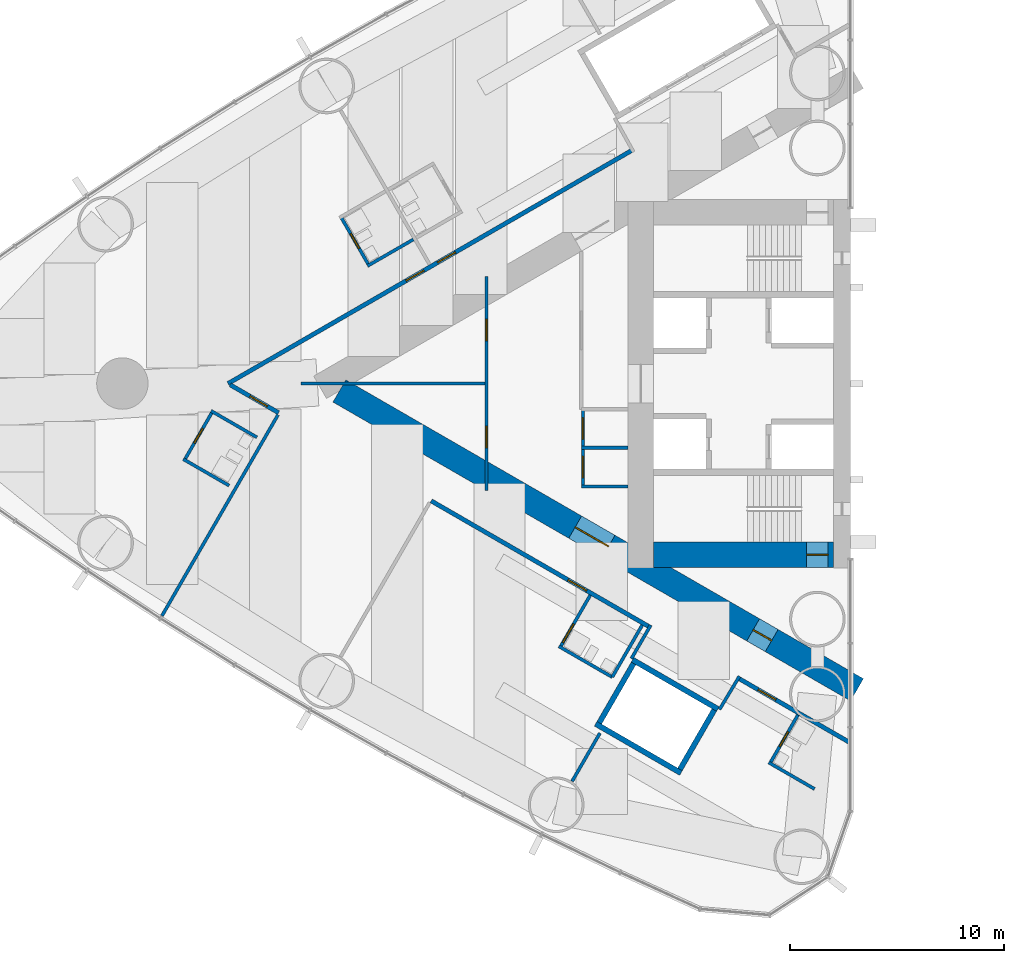
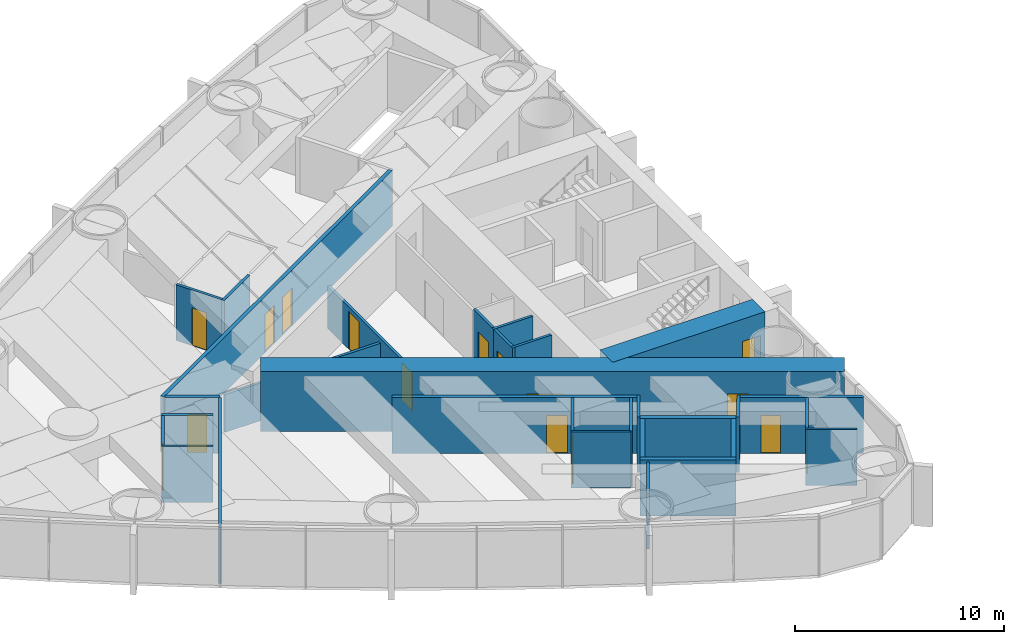
# One storey, part 11 of 19: 30 walls, 16 doors, 16 openings.
"""IFC4 building model written with IfcOpenShell, lengths in metres."""

from ifc_helpers import new_model, si_unit, direction, frame, frame_2d, origin, place, context, subcontext, project, spatial, rectangle, extrude, material, layer, layer_set, type_object, element, fill, save


model = new_model("IFC4")

# Units and contexts
model_context = context("Model", 3, precision=1e-05, world=origin(), true_north=direction((0.0, 1.0)))
body_context = subcontext(model_context, "Body", "Model", "MODEL_VIEW")
ifc_project = project(units=[si_unit("LENGTHUNIT", "METRE"), si_unit("AREAUNIT", "SQUARE_METRE"), si_unit("VOLUMEUNIT", "CUBIC_METRE"), si_unit("PLANEANGLEUNIT", "RADIAN"), si_unit("MASSUNIT", "GRAM", prefix="KILO")], contexts=[model_context])

# Site, building, storey
site_placement = place(None, origin())
site = spatial("IfcSite", under=ifc_project, at=site_placement, CompositionType="ELEMENT")
building_placement = place(site_placement, origin())
building = spatial("IfcBuilding", under=site, at=building_placement, Name="Lancet Gate Hotel", CompositionType="ELEMENT")
storey_placement = place(building_placement, frame((0.0, 0.0, 111.60009765625)))
storey = spatial("IfcBuildingStorey", under=building, at=storey_placement, Name="L29", CompositionType="ELEMENT", Elevation=111.60009765625)

# Wall, opening, door
ifc_material_1 = material(Name="Moisture resistant board partition")
ifc_layer_1 = layer(ifc_material_1, 0.14990234375)
ifc_layer_set_1 = layer_set([ifc_layer_1], Name="Bathroom wall 150")
wall_type_1 = type_object("IfcWallType", Name="Bathroom wall 150", PredefinedType="PARTITIONING", material=ifc_layer_set_1)
wall_1_placement = place(storey_placement, frame((-49.99462890625, 5.52734375, 0.0), z_axis=(0.0, 0.0, 1.0), x_axis=(-0.500006934395, 0.866021400173, 0.0)))
wall_1 = element("IfcWall", 1, at=wall_1_placement, inside=storey, type_object=wall_type_1, Name="T1 bathroom wall 150 L29", PredefinedType="PARTITIONING", context=body_context, shape_type="SweptSolid", body=[
    extrude(rectangle(XDim=2.60009765625, YDim=0.14990234375, at=frame_2d((1.300048828125, 0.0))), origin(), (0.0, 0.0, 1.0), 3.25),
])
opening_1_placement = place(wall_1_placement, frame((0.89990234375, 0.0, 0.0)))
opening_1 = element("IfcOpeningElement", 2, at=opening_1_placement, cuts=wall_1, Name="Opening 2903-B", PredefinedType="OPENING", context=body_context, shape_type="SweptSolid", body=[
    extrude(rectangle(XDim=0.800048828125, YDim=2.199951171875, at=frame_2d((0.39990234375, 1.10009765625))), frame((0.0, 0.0849609375, 0.0), z_axis=(0.0, -1.0, 0.0), x_axis=(1.0, 0.0, 0.0)), (0.0, 0.0, 1.0), 0.169921875),
])
ifc_material_2 = material(Name="Timber door set", Category="wood")
door_type_1 = type_object("IfcDoorType", Name="Bathroom door 800", OperationType="SINGLE_SWING_RIGHT", PredefinedType="DOOR", material=ifc_material_2)
door_1_placement = place(opening_1_placement, origin())
door_1 = element("IfcDoor", 3, at=door_1_placement, inside=storey, type_object=door_type_1, Name="2903-B", OperationType="SINGLE_SWING_RIGHT", OverallHeight=2.199951171875, OverallWidth=0.800048828125, PredefinedType="DOOR", context=body_context, shape_type="SweptSolid", body=[
    extrude(rectangle(XDim=0.800048828125, YDim=2.199951171875, at=frame_2d((0.39990234375, 1.10009765625))), frame((0.0, 0.02490234375, 0.0), z_axis=(0.0, -1.0, 0.0), x_axis=(1.0, 0.0, 0.0)), (0.0, 0.0, 1.0), 0.050048828125),
])
fill(opening_1, door_1)

# Walls
for number, where, z_axis, x_axis, name in (
    (4, (-47.916015625, 6.727294921875, 0.0), (0.0, 0.0, 1.0), (-0.866031185235, -0.4999899861, 0.0), "T1 bathroom wall 150 L29"),
    (5, (-56.51708984375, -4.763916015625, 0.0), (0.0, 0.0, 1.0), (-0.866031185235, 0.4999899861, 0.0), "T1 bathroom wall 150 L29"),
):
    element("IfcWall", number, at=place(storey_placement, frame(where, z_axis=z_axis, x_axis=x_axis)), inside=storey, type_object=wall_type_1, Name=name, PredefinedType="PARTITIONING", context=body_context, shape_type="SweptSolid", body=[
        extrude(rectangle(XDim=2.47509765625, YDim=0.14990234375, at=frame_2d((1.237548828125, 0.0))), origin(), (0.0, 0.0, 1.0), 3.25),
    ])

# Wall, opening, door
wall_2_placement = place(storey_placement, frame((-57.295654296875, -1.312255859375, 0.0), z_axis=(0.0, 0.0, 1.0), x_axis=(-0.49997716683, -0.86603858612, 0.0)))
wall_2 = element("IfcWall", 6, at=wall_2_placement, inside=storey, type_object=wall_type_1, Name="T1 bathroom wall 150 L29", PredefinedType="PARTITIONING", context=body_context, shape_type="SweptSolid", body=[
    extrude(rectangle(XDim=2.599609375, YDim=0.14990234375, at=frame_2d((1.2998046875, 0.0))), origin(), (0.0, 0.0, 1.0), 3.25),
])
opening_2_placement = place(wall_2_placement, frame((0.89990234375, 0.0, 0.0)))
opening_2 = element("IfcOpeningElement", 7, at=opening_2_placement, cuts=wall_2, Name="Opening 2905-B", PredefinedType="OPENING", context=body_context, shape_type="SweptSolid", body=[
    extrude(rectangle(XDim=0.800048828125, YDim=2.199951171875, at=frame_2d((0.39990234375, 1.10009765625))), frame((0.0, 0.0849609375, 0.0), z_axis=(0.0, -1.0, 0.0), x_axis=(1.0, 0.0, 0.0)), (0.0, 0.0, 1.0), 0.169921875),
])
door_2_placement = place(opening_2_placement, origin())
door_2 = element("IfcDoor", 8, at=door_2_placement, inside=storey, type_object=door_type_1, Name="2905-B", OperationType="SINGLE_SWING_RIGHT", OverallHeight=2.199951171875, OverallWidth=0.800048828125, PredefinedType="DOOR", context=body_context, shape_type="SweptSolid", body=[
    extrude(rectangle(XDim=0.800048828125, YDim=2.199951171875, at=frame_2d((0.39990234375, 1.10009765625))), frame((0.0, 0.02490234375, 0.0), z_axis=(0.0, -1.0, 0.0), x_axis=(1.0, 0.0, 0.0)), (0.0, 0.0, 1.0), 0.050048828125),
])
fill(opening_2, door_2)

# Walls
wall_3_placement = place(storey_placement, frame((-55.217041015625, -2.51220703125, 0.0), z_axis=(0.0, 0.0, 1.0), x_axis=(-0.866031185235, 0.4999899861, 0.0)))
element("IfcWall", 9, at=wall_3_placement, inside=storey, type_object=wall_type_1, Name="T1 bathroom wall 150 L29", PredefinedType="PARTITIONING", context=body_context, shape_type="SweptSolid", body=[
    extrude(rectangle(XDim=2.47509765625, YDim=0.14990234375, at=frame_2d((1.237548828125, 0.0))), origin(), (0.0, 0.0, 1.0), 3.25),
])
wall_4_placement = place(storey_placement, frame((-38.630126953125, -13.705322265625, 0.0), z_axis=(0.0, 0.0, 1.0), x_axis=(-0.866018712932, 0.500011588718, 0.0)))
element("IfcWall", 10, at=wall_4_placement, inside=storey, type_object=wall_type_1, Name="T1 bathroom wall 150 L29", PredefinedType="PARTITIONING", context=body_context, shape_type="SweptSolid", body=[
    extrude(rectangle(XDim=2.875, YDim=0.14990234375, at=frame_2d((1.4375, 0.0))), origin(), (0.0, 0.0, 1.0), 3.25),
])

# Wall, opening, door
wall_5_placement = place(storey_placement, frame((-39.65478515625, -9.88037109375, 0.0), z_axis=(0.0, 0.0, 1.0), x_axis=(-0.500049511043, -0.865996816683, 0.0)))
wall_5 = element("IfcWall", 11, at=wall_5_placement, inside=storey, type_object=wall_type_1, Name="T1 bathroom wall 150 L29", PredefinedType="PARTITIONING", context=body_context, shape_type="SweptSolid", body=[
    extrude(rectangle(XDim=2.800048828125, YDim=0.14990234375, at=frame_2d((1.39990234375, 0.0))), origin(), (0.0, 0.0, 1.0), 3.25),
])
opening_3_placement = place(wall_5_placement, frame((1.550048828125, 0.0, 0.0)))
opening_3 = element("IfcOpeningElement", 12, at=opening_3_placement, cuts=wall_5, Name="Opening 2907-B", PredefinedType="OPENING", context=body_context, shape_type="SweptSolid", body=[
    extrude(rectangle(XDim=1.0, YDim=2.199951171875, at=frame_2d((0.5, 1.10009765625))), frame((0.0, 0.0849609375, 0.0), z_axis=(0.0, -1.0, 0.0), x_axis=(1.0, 0.0, 0.0)), (0.0, 0.0, 1.0), 0.169921875),
])
ifc_material_3 = material(Name="Timber door set", Category="wood")
door_type_2 = type_object("IfcDoorType", Name="Accessible en-suite door 1000", OperationType="SINGLE_SWING_RIGHT", PredefinedType="DOOR", material=ifc_material_3)
door_3_placement = place(opening_3_placement, origin())
door_3 = element("IfcDoor", 13, at=door_3_placement, inside=storey, type_object=door_type_2, Name="2907-B", OperationType="SINGLE_SWING_RIGHT", OverallHeight=2.199951171875, OverallWidth=1.0, PredefinedType="DOOR", context=body_context, shape_type="SweptSolid", body=[
    extrude(rectangle(XDim=1.0, YDim=2.199951171875, at=frame_2d((0.5, 1.10009765625))), frame((0.0, 0.02490234375, 0.0), z_axis=(0.0, -1.0, 0.0), x_axis=(1.0, 0.0, 0.0)), (0.0, 0.0, 1.0), 0.050048828125),
])
fill(opening_3, door_3)

# Walls
wall_6_placement = place(storey_placement, frame((-37.22998046875, -11.280517578125, 0.0), z_axis=(0.0, 0.0, 1.0), x_axis=(-0.500049511043, -0.865996816683, 0.0)))
element("IfcWall", 14, at=wall_6_placement, inside=storey, type_object=wall_type_1, Name="T1 bathroom wall 150 L29", PredefinedType="PARTITIONING", context=body_context, shape_type="SweptSolid", body=[
    extrude(rectangle(XDim=2.800048828125, YDim=0.14990234375, at=frame_2d((1.39990234375, 0.0))), origin(), (0.0, 0.0, 1.0), 3.25),
])
wall_7_placement = place(storey_placement, frame((-29.181884765625, -18.92919921875, 0.0), z_axis=(0.0, 0.0, 1.0), x_axis=(-0.866006523861, 0.500032699561, 0.0)))
element("IfcWall", 15, at=wall_7_placement, inside=storey, type_object=wall_type_1, Name="T1 bathroom wall 150 L29", PredefinedType="PARTITIONING", context=body_context, shape_type="SweptSolid", body=[
    extrude(rectangle(XDim=2.474853515625, YDim=0.14990234375, at=frame_2d((1.2373046875, 0.0))), origin(), (0.0, 0.0, 1.0), 3.25),
])

# Wall, opening, door
wall_8_placement = place(storey_placement, frame((-29.960205078125, -15.4775390625, 0.0), z_axis=(0.0, 0.0, 1.0), x_axis=(-0.500006934395, -0.866021400173, 0.0)))
wall_8 = element("IfcWall", 16, at=wall_8_placement, inside=storey, type_object=wall_type_1, Name="T1 bathroom wall 150 L29", PredefinedType="PARTITIONING", context=body_context, shape_type="SweptSolid", body=[
    extrude(rectangle(XDim=2.60009765625, YDim=0.14990234375, at=frame_2d((1.300048828125, 0.0))), origin(), (0.0, 0.0, 1.0), 3.25),
])
opening_4_placement = place(wall_8_placement, frame((0.89990234375, 0.0, 0.0)))
opening_4 = element("IfcOpeningElement", 17, at=opening_4_placement, cuts=wall_8, Name="Opening 2908-B", PredefinedType="OPENING", context=body_context, shape_type="SweptSolid", body=[
    extrude(rectangle(XDim=0.800048828125, YDim=2.199951171875, at=frame_2d((0.39990234375, 1.10009765625))), frame((0.0, 0.0849609375, 0.0), z_axis=(0.0, -1.0, 0.0), x_axis=(1.0, 0.0, 0.0)), (0.0, 0.0, 1.0), 0.169921875),
])
door_4_placement = place(opening_4_placement, origin())
door_4 = element("IfcDoor", 18, at=door_4_placement, inside=storey, type_object=door_type_1, Name="2908-B", OperationType="SINGLE_SWING_RIGHT", OverallHeight=2.199951171875, OverallWidth=0.800048828125, PredefinedType="DOOR", context=body_context, shape_type="SweptSolid", body=[
    extrude(rectangle(XDim=0.800048828125, YDim=2.199951171875, at=frame_2d((0.39990234375, 1.10009765625))), frame((0.0, 0.02490234375, 0.0), z_axis=(0.0, -1.0, 0.0), x_axis=(1.0, 0.0, 0.0)), (0.0, 0.0, 1.0), 0.050048828125),
])
fill(opening_4, door_4)

# Wall, openings, doors
ifc_material_4 = material(Name="Concrete C70/85", Category="concrete")
ifc_layer_2 = layer(ifc_material_4, 1.199951171875)
ifc_layer_set_2 = layer_set([ifc_layer_2], Name="Buttress wall 1200")
wall_type_2 = type_object("IfcWallType", Name="Buttress wall 1200", PredefinedType="SHEAR", material=ifc_layer_set_2)
wall_9_placement = place(storey_placement, frame((-27.199951171875, -14.300048828125, 0.0), z_axis=(0.0, 0.0, 1.0), x_axis=(-0.866024021859, 0.500002393557, 0.0)))
wall_9 = element("IfcWall", 19, at=wall_9_placement, inside=storey, type_object=wall_type_2, Name="T1 buttress wall N L29", PredefinedType="SHEAR", context=body_context, shape_type="SweptSolid", body=[
    extrude(rectangle(XDim=27.906982421875, YDim=1.199951171875, at=frame_2d((13.95361328125, 0.0))), origin(), (0.0, 0.0, 1.0), 3.5),
])
opening_5_placement = place(wall_9_placement, frame((4.60009765625, 0.0, 0.0)))
opening_5 = element("IfcOpeningElement", 20, at=opening_5_placement, cuts=wall_9, Name="Opening T1-L29-LN", PredefinedType="OPENING", context=body_context, shape_type="SweptSolid", body=[
    extrude(rectangle(XDim=1.0, YDim=2.199951171875, at=frame_2d((0.5, 1.10009765625))), frame((0.0, 0.60986328125, 0.0), z_axis=(0.0, -1.0, 0.0), x_axis=(1.0, 0.0, 0.0)), (0.0, 0.0, 1.0), 1.219970703125),
])
opening_6_placement = place(wall_9_placement, frame((13.39453125, 0.0, 0.0)))
opening_6 = element("IfcOpeningElement", 21, at=opening_6_placement, cuts=wall_9, Name="Opening T1-L29-LHN", PredefinedType="OPENING", context=body_context, shape_type="SweptSolid", body=[
    extrude(rectangle(XDim=1.800048828125, YDim=2.199951171875, at=frame_2d((0.89990234375, 1.10009765625))), frame((0.0, 0.60986328125, 0.0), z_axis=(0.0, -1.0, 0.0), x_axis=(1.0, 0.0, 0.0)), (0.0, 0.0, 1.0), 1.219970703125),
])
ifc_material_5 = material(Name="Timber door set", Category="wood")
door_type_3 = type_object("IfcDoorType", Name="Lobby double door 1800", OperationType="DOUBLE_DOOR_SINGLE_SWING", PredefinedType="DOOR", material=ifc_material_5)
door_5_placement = place(opening_6_placement, origin())
door_5 = element("IfcDoor", 22, at=door_5_placement, inside=storey, type_object=door_type_3, Name="T1-L29-LHN", OperationType="DOUBLE_DOOR_SINGLE_SWING", OverallHeight=2.199951171875, OverallWidth=1.800048828125, PredefinedType="DOOR", context=body_context, shape_type="SweptSolid", body=[
    extrude(rectangle(XDim=1.800048828125, YDim=2.199951171875, at=frame_2d((0.89990234375, 1.10009765625))), frame((0.0, 0.02490234375, 0.0), z_axis=(0.0, -1.0, 0.0), x_axis=(1.0, 0.0, 0.0)), (0.0, 0.0, 1.0), 0.050048828125),
])
fill(opening_6, door_5)
ifc_material_6 = material(Name="Timber door set", Category="wood")
door_type_4 = type_object("IfcDoorType", Name="Stair lobby door 1000", OperationType="SINGLE_SWING_LEFT", PredefinedType="DOOR", material=ifc_material_6)
door_6_placement = place(opening_5_placement, origin())
door_6 = element("IfcDoor", 23, at=door_6_placement, inside=storey, type_object=door_type_4, Name="T1-L29-LN", OperationType="SINGLE_SWING_LEFT", OverallHeight=2.199951171875, OverallWidth=1.0, PredefinedType="DOOR", context=body_context, shape_type="SweptSolid", body=[
    extrude(rectangle(XDim=1.0, YDim=2.199951171875, at=frame_2d((0.5, 1.10009765625))), frame((0.0, 0.02490234375, 0.0), z_axis=(0.0, -1.0, 0.0), x_axis=(1.0, 0.0, 0.0)), (0.0, 0.0, 1.0), 0.050048828125),
])
fill(opening_5, door_6)

# Wall, opening, door
ifc_material_7 = material(Name="Concrete C70/85", Category="concrete")
ifc_layer_3 = layer(ifc_material_7, 1.199951171875)
ifc_layer_set_3 = layer_set([ifc_layer_3], Name="Core wall 1200")
wall_type_3 = type_object("IfcWallType", Name="Core wall 1200", PredefinedType="SHEAR", material=ifc_layer_set_3)
wall_10_placement = place(storey_placement, frame((-28.300048828125, -8.0, 0.0), z_axis=(0.0, 0.0, 1.0), x_axis=(-1.0, 0.0, 0.0)))
wall_10 = element("IfcWall", 24, at=wall_10_placement, inside=storey, type_object=wall_type_3, Name="T1 core wall side-N L29", PredefinedType="SHEAR", context=body_context, shape_type="SweptSolid", body=[
    extrude(rectangle(XDim=8.39990234375, YDim=1.199951171875, at=frame_2d((4.199951171875, 0.0))), origin(), (0.0, 0.0, 1.0), 3.5),
])
opening_7_placement = place(wall_10_placement, frame((0.25, 0.0, 0.0)))
opening_7 = element("IfcOpeningElement", 25, at=opening_7_placement, cuts=wall_10, Name="Opening T1-L29-ST2", PredefinedType="OPENING", context=body_context, shape_type="SweptSolid", body=[
    extrude(rectangle(XDim=1.0, YDim=2.199951171875, at=frame_2d((0.5, 1.10009765625))), frame((0.0, 0.60986328125, 0.0), z_axis=(0.0, -1.0, 0.0), x_axis=(1.0, 0.0, 0.0)), (0.0, 0.0, 1.0), 1.219970703125),
])
ifc_material_8 = material(Name="Timber door set", Category="wood")
door_type_5 = type_object("IfcDoorType", Name="Stair door 1000", OperationType="SINGLE_SWING_RIGHT", PredefinedType="DOOR", material=ifc_material_8)
door_7_placement = place(opening_7_placement, origin())
door_7 = element("IfcDoor", 26, at=door_7_placement, inside=storey, type_object=door_type_5, Name="T1-L29-ST2", OperationType="SINGLE_SWING_RIGHT", OverallHeight=2.199951171875, OverallWidth=1.0, PredefinedType="DOOR", context=body_context, shape_type="SweptSolid", body=[
    extrude(rectangle(XDim=1.0, YDim=2.199951171875, at=frame_2d((0.5, 1.10009765625))), frame((0.0, 0.02490234375, 0.0), z_axis=(0.0, -1.0, 0.0), x_axis=(1.0, 0.0, 0.0)), (0.0, 0.0, 1.0), 0.050048828125),
])
fill(opening_7, door_7)

# Wall, openings, doors
ifc_material_9 = material(Name="Gypsum board partition")
ifc_layer_4 = layer(ifc_material_9, 0.199951171875)
ifc_layer_set_4 = layer_set([ifc_layer_4], Name="Corridor wall 200")
wall_type_4 = type_object("IfcWallType", Name="Corridor wall 200", PredefinedType="PARTITIONING", material=ifc_layer_set_4)
wall_11_placement = place(storey_placement, frame((-37.699951171875, 10.8935546875, 0.0), z_axis=(0.0, 0.0, 1.0), x_axis=(-0.866027905338, -0.499995667157, 0.0)))
wall_11 = element("IfcWall", 27, at=wall_11_placement, inside=storey, type_object=wall_type_4, Name="T1 corridor wall 200 L29", PredefinedType="PARTITIONING", context=body_context, shape_type="SweptSolid", body=[
    extrude(rectangle(XDim=21.787353515625, YDim=0.199951171875, at=frame_2d((10.8935546875, 0.0))), origin(), (0.0, 0.0, 1.0), 3.25),
])
opening_8_placement = place(wall_11_placement, frame((11.23046875, 0.0, 0.0)))
opening_8 = element("IfcOpeningElement", 28, at=opening_8_placement, cuts=wall_11, Name="Opening 2903-E", PredefinedType="OPENING", context=body_context, shape_type="SweptSolid", body=[
    extrude(rectangle(XDim=0.949951171875, YDim=2.199951171875, at=frame_2d((0.47509765625, 1.10009765625))), frame((0.0, 0.10986328125, 0.0), z_axis=(0.0, -1.0, 0.0), x_axis=(1.0, 0.0, 0.0)), (0.0, 0.0, 1.0), 0.219970703125),
])
opening_9_placement = place(wall_11_placement, frame((9.530517578125, 0.0, 0.0)))
opening_9 = element("IfcOpeningElement", 29, at=opening_9_placement, cuts=wall_11, Name="Opening 2902-E", PredefinedType="OPENING", context=body_context, shape_type="SweptSolid", body=[
    extrude(rectangle(XDim=0.949951171875, YDim=2.199951171875, at=frame_2d((0.47509765625, 1.10009765625))), frame((0.0, 0.10986328125, 0.0), z_axis=(0.0, -1.0, 0.0), x_axis=(1.0, 0.0, 0.0)), (0.0, 0.0, 1.0), 0.219970703125),
])
ifc_material_10 = material(Name="Timber door set", Category="wood")
door_type_6 = type_object("IfcDoorType", Name="Guest room entry door 950", OperationType="SINGLE_SWING_LEFT", PredefinedType="DOOR", material=ifc_material_10)
door_8_placement = place(opening_8_placement, origin())
door_8 = element("IfcDoor", 30, at=door_8_placement, inside=storey, type_object=door_type_6, Name="2903-E", OperationType="SINGLE_SWING_LEFT", OverallHeight=2.199951171875, OverallWidth=0.949951171875, PredefinedType="DOOR", context=body_context, shape_type="SweptSolid", body=[
    extrude(rectangle(XDim=0.949951171875, YDim=2.199951171875, at=frame_2d((0.47509765625, 1.10009765625))), frame((0.0, 0.02490234375, 0.0), z_axis=(0.0, -1.0, 0.0), x_axis=(1.0, 0.0, 0.0)), (0.0, 0.0, 1.0), 0.050048828125),
])
fill(opening_8, door_8)
door_9_placement = place(opening_9_placement, origin())
door_9 = element("IfcDoor", 31, at=door_9_placement, inside=storey, type_object=door_type_6, Name="2902-E", OperationType="SINGLE_SWING_LEFT", OverallHeight=2.199951171875, OverallWidth=0.949951171875, PredefinedType="DOOR", context=body_context, shape_type="SweptSolid", body=[
    extrude(rectangle(XDim=0.949951171875, YDim=2.199951171875, at=frame_2d((0.47509765625, 1.10009765625))), frame((0.0, 0.02490234375, 0.0), z_axis=(0.0, -1.0, 0.0), x_axis=(1.0, 0.0, 0.0)), (0.0, 0.0, 1.0), 0.050048828125),
])
fill(opening_9, door_9)

# Wall, opening, door
wall_12_placement = place(storey_placement, frame((-27.572021484375, -16.740966796875, 0.0), z_axis=(0.0, 0.0, 1.0), x_axis=(-0.866024464444, 0.500001626982, 0.0)))
wall_12 = element("IfcWall", 32, at=wall_12_placement, inside=storey, type_object=wall_type_4, Name="T1 corridor wall 200 L29", PredefinedType="PARTITIONING", context=body_context, shape_type="SweptSolid", body=[
    extrude(rectangle(XDim=5.955078125, YDim=0.199951171875, at=frame_2d((2.9775390625, 0.0))), origin(), (0.0, 0.0, 1.0), 3.25),
])
opening_10_placement = place(wall_12_placement, frame((3.949951171875, 0.0, 0.0)))
opening_10 = element("IfcOpeningElement", 33, at=opening_10_placement, cuts=wall_12, Name="Opening 2908-E", PredefinedType="OPENING", context=body_context, shape_type="SweptSolid", body=[
    extrude(rectangle(XDim=0.949951171875, YDim=2.199951171875, at=frame_2d((0.47509765625, 1.10009765625))), frame((0.0, 0.10986328125, 0.0), z_axis=(0.0, -1.0, 0.0), x_axis=(1.0, 0.0, 0.0)), (0.0, 0.0, 1.0), 0.219970703125),
])
door_10_placement = place(opening_10_placement, origin())
door_10 = element("IfcDoor", 34, at=door_10_placement, inside=storey, type_object=door_type_6, Name="2908-E", OperationType="SINGLE_SWING_LEFT", OverallHeight=2.199951171875, OverallWidth=0.949951171875, PredefinedType="DOOR", context=body_context, shape_type="SweptSolid", body=[
    extrude(rectangle(XDim=0.949951171875, YDim=2.199951171875, at=frame_2d((0.47509765625, 1.10009765625))), frame((0.0, 0.02490234375, 0.0), z_axis=(0.0, -1.0, 0.0), x_axis=(1.0, 0.0, 0.0)), (0.0, 0.0, 1.0), 0.050048828125),
])
fill(opening_10, door_10)

wall_13_placement = place(storey_placement, frame((-36.920166015625, -11.34375, 0.0), z_axis=(0.0, 0.0, 1.0), x_axis=(-0.866027897759, 0.499995680284, 0.0)))
wall_13 = element("IfcWall", 35, at=wall_13_placement, inside=storey, type_object=wall_type_4, Name="T1 corridor wall 200 L29", PredefinedType="PARTITIONING", context=body_context, shape_type="SweptSolid", body=[
    extrude(rectangle(XDim=11.73095703125, YDim=0.199951171875, at=frame_2d((5.865478515625, 0.0))), origin(), (0.0, 0.0, 1.0), 3.25),
])
opening_11_placement = place(wall_13_placement, frame((3.35009765625, 0.0, 0.0)))
opening_11 = element("IfcOpeningElement", 36, at=opening_11_placement, cuts=wall_13, Name="Opening 2907-E", PredefinedType="OPENING", context=body_context, shape_type="SweptSolid", body=[
    extrude(rectangle(XDim=1.0, YDim=2.199951171875, at=frame_2d((0.5, 1.10009765625))), frame((0.0, 0.10986328125, 0.0), z_axis=(0.0, -1.0, 0.0), x_axis=(1.0, 0.0, 0.0)), (0.0, 0.0, 1.0), 0.219970703125),
])
ifc_material_11 = material(Name="Timber door set", Category="wood")
door_type_7 = type_object("IfcDoorType", Name="Accessible guest room door 1000", OperationType="SINGLE_SWING_LEFT", PredefinedType="DOOR", material=ifc_material_11)
door_11_placement = place(opening_11_placement, origin())
door_11 = element("IfcDoor", 37, at=door_11_placement, inside=storey, type_object=door_type_7, Name="2907-E", OperationType="SINGLE_SWING_LEFT", OverallHeight=2.199951171875, OverallWidth=1.0, PredefinedType="DOOR", context=body_context, shape_type="SweptSolid", body=[
    extrude(rectangle(XDim=1.0, YDim=2.199951171875, at=frame_2d((0.5, 1.10009765625))), frame((0.0, 0.02490234375, 0.0), z_axis=(0.0, -1.0, 0.0), x_axis=(1.0, 0.0, 0.0)), (0.0, 0.0, 1.0), 0.050048828125),
])
fill(opening_11, door_11)

wall_14_placement = place(storey_placement, frame((-54.207275390625, -1.363037109375, 0.0), z_axis=(0.0, 0.0, 1.0), x_axis=(-0.866049872286, 0.499957616916, 0.0)))
wall_14 = element("IfcWall", 38, at=wall_14_placement, inside=storey, type_object=wall_type_4, Name="T1 corridor wall 200 L29", PredefinedType="PARTITIONING", context=body_context, shape_type="SweptSolid", body=[
    extrude(rectangle(XDim=2.606201171875, YDim=0.199951171875, at=frame_2d((1.30322265625, 0.0))), origin(), (0.0, 0.0, 1.0), 3.25),
])
opening_12_placement = place(wall_14_placement, frame((0.60009765625, 0.0, 0.0)))
opening_12 = element("IfcOpeningElement", 39, at=opening_12_placement, cuts=wall_14, Name="Opening 2905-E", PredefinedType="OPENING", context=body_context, shape_type="SweptSolid", body=[
    extrude(rectangle(XDim=0.949951171875, YDim=2.199951171875, at=frame_2d((0.47509765625, 1.10009765625))), frame((0.0, 0.10986328125, 0.0), z_axis=(0.0, -1.0, 0.0), x_axis=(1.0, 0.0, 0.0)), (0.0, 0.0, 1.0), 0.219970703125),
])
door_12_placement = place(opening_12_placement, origin())
door_12 = element("IfcDoor", 40, at=door_12_placement, inside=storey, type_object=door_type_6, Name="2905-E", OperationType="SINGLE_SWING_LEFT", OverallHeight=2.199951171875, OverallWidth=0.949951171875, PredefinedType="DOOR", context=body_context, shape_type="SweptSolid", body=[
    extrude(rectangle(XDim=0.949951171875, YDim=2.199951171875, at=frame_2d((0.47509765625, 1.10009765625))), frame((0.0, 0.02490234375, 0.0), z_axis=(0.0, -1.0, 0.0), x_axis=(1.0, 0.0, 0.0)), (0.0, 0.0, 1.0), 0.050048828125),
])
fill(opening_12, door_12)

# Walls
ifc_material_12 = material(Name="Gypsum board partition")
ifc_layer_5 = layer(ifc_material_12, 0.25)
ifc_layer_set_5 = layer_set([ifc_layer_5], Name="Lift shaft partition 250")
wall_type_5 = type_object("IfcWallType", Name="Lift shaft partition 250", PredefinedType="PARTITIONING", material=ifc_layer_set_5)
wall_15_placement = place(storey_placement, frame((-33.695556640625, -15.197265625, 0.0), z_axis=(0.0, 0.0, 1.0), x_axis=(-0.865976953817, 0.500083908417, 0.0)))
element("IfcWall", 41, at=wall_15_placement, inside=storey, type_object=wall_type_5, Name="T1 lift shaft wall EX L29", PredefinedType="PARTITIONING", context=body_context, shape_type="SweptSolid", body=[
    extrude(rectangle(XDim=4.599365234375, YDim=0.25, at=frame_2d((2.2998046875, 0.0))), origin(), (0.0, 0.0, 1.0), 3.25),
])
wall_16_placement = place(storey_placement, frame((-35.42041015625, -18.185791015625, 0.0), z_axis=(0.0, 0.0, 1.0), x_axis=(-0.865990227814, 0.50006092162, 0.0)))
element("IfcWall", 42, at=wall_16_placement, inside=storey, type_object=wall_type_5, Name="T1 lift shaft wall EX L29", PredefinedType="PARTITIONING", context=body_context, shape_type="SweptSolid", body=[
    extrude(rectangle(XDim=4.599609375, YDim=0.25, at=frame_2d((2.2998046875, 0.0))), origin(), (0.0, 0.0, 1.0), 3.25),
])
wall_17_placement = place(storey_placement, frame((-33.8662109375, -15.242919921875, 0.0), z_axis=(0.0, 0.0, 1.0), x_axis=(-0.499929347863, -0.866066190972, 0.0)))
element("IfcWall", 43, at=wall_17_placement, inside=storey, type_object=wall_type_5, Name="T1 lift shaft wall EX L29", PredefinedType="PARTITIONING", context=body_context, shape_type="SweptSolid", body=[
    extrude(rectangle(XDim=3.20068359375, YDim=0.25, at=frame_2d((1.600341796875, 0.0))), origin(), (0.0, 0.0, 1.0), 3.25),
])
wall_18_placement = place(storey_placement, frame((-37.6328125, -13.068115234375, 0.0), z_axis=(0.0, 0.0, 1.0), x_axis=(-0.499872130319, -0.866099216793, 0.0)))
element("IfcWall", 44, at=wall_18_placement, inside=storey, type_object=wall_type_5, Name="T1 lift shaft wall EX L29", PredefinedType="PARTITIONING", context=body_context, shape_type="SweptSolid", body=[
    extrude(rectangle(XDim=3.200439453125, YDim=0.25, at=frame_2d((1.60009765625, 0.0))), origin(), (0.0, 0.0, 1.0), 3.25),
])
ifc_material_13 = material(Name="Gypsum board partition")
ifc_layer_6 = layer(ifc_material_13, 0.14990234375)
ifc_layer_set_6 = layer_set([ifc_layer_6], Name="Party wall 150")
wall_type_6 = type_object("IfcWallType", Name="Party wall 150", PredefinedType="PARTITIONING", material=ifc_layer_set_6)
wall_19_placement = place(storey_placement, frame((-54.235595703125, -1.462158203125, 0.0), z_axis=(0.0, 0.0, 1.0), x_axis=(-0.499990351854, -0.866030974073, 0.0)))
element("IfcWall", 45, at=wall_19_placement, inside=storey, type_object=wall_type_6, Name="T1 party wall 150 L29", PredefinedType="PARTITIONING", context=body_context, shape_type="SweptSolid", body=[
    extrude(rectangle(XDim=10.833740234375, YDim=0.14990234375, at=frame_2d((5.4169921875, 0.0))), origin(), (0.0, 0.0, 1.0), 3.25),
])
wall_20_placement = place(storey_placement, frame((-39.2021484375, -16.319580078125, 0.0), z_axis=(0.0, 0.0, 1.0), x_axis=(-0.49997716683, -0.86603858612, 0.0)))
element("IfcWall", 46, at=wall_20_placement, inside=storey, type_object=wall_type_6, Name="T1 party wall 150 L29", PredefinedType="PARTITIONING", context=body_context, shape_type="SweptSolid", body=[
    extrude(rectangle(XDim=2.599609375, YDim=0.14990234375, at=frame_2d((1.2998046875, 0.0))), origin(), (0.0, 0.0, 1.0), 3.25),
])
ifc_material_14 = material(Name="Gypsum board partition")
ifc_layer_7 = layer(ifc_material_14, 0.14990234375)
ifc_layer_set_7 = layer_set([ifc_layer_7], Name="Service room wall 150")
wall_type_7 = type_object("IfcWallType", Name="Service room wall 150", PredefinedType="PARTITIONING", material=ifc_layer_set_7)
wall_21_placement = place(storey_placement, frame((-36.831298828125, -11.27978515625, 0.0), z_axis=(0.0, 0.0, 1.0), x_axis=(-0.499937177781, -0.866061671171, 0.0)))
element("IfcWall", 47, at=wall_21_placement, inside=storey, type_object=wall_type_7, Name="T1 service room wall 150 L29", PredefinedType="PARTITIONING", context=body_context, shape_type="SweptSolid", body=[
    extrude(rectangle(XDim=1.804443359375, YDim=0.14990234375, at=frame_2d((0.90234375, 0.0))), origin(), (0.0, 0.0, 1.0), 3.25),
])
wall_22_placement = place(storey_placement, frame((-33.62060546875, -15.217529296875, 0.0), z_axis=(0.0, 0.0, 1.0), x_axis=(0.514336634837, 0.857588377991, 0.0)))
element("IfcWall", 48, at=wall_22_placement, inside=storey, type_object=wall_type_7, Name="T1 service room wall 150 L29", PredefinedType="PARTITIONING", context=body_context, shape_type="SweptSolid", body=[
    extrude(rectangle(XDim=1.80517578125, YDim=0.14990234375, at=frame_2d((0.902587890625, 0.0))), origin(), (0.0, 0.0, 1.0), 3.25),
])
for number, where, z_axis, x_axis, name in (
    (49, (-37.89990234375, -3.0, 0.0), (0.0, 0.0, 1.0), (-1.0, 0.0, 0.0), "T1 service room wall 150 L29"),
    (50, (-37.89990234375, -4.800048828125, 0.0), (0.0, 0.0, 1.0), (-1.0, 0.0, 0.0), "T1 service room wall 150 L29"),
):
    element("IfcWall", number, at=place(storey_placement, frame(where, z_axis=z_axis, x_axis=x_axis)), inside=storey, type_object=wall_type_7, Name=name, PredefinedType="PARTITIONING", context=body_context, shape_type="SweptSolid", body=[
        extrude(rectangle(XDim=2.175048828125, YDim=0.14990234375, at=frame_2d((1.08740234375, 0.0))), origin(), (0.0, 0.0, 1.0), 3.25),
    ])

# Wall, opening, door
wall_23_placement = place(storey_placement, frame((-40.0, -1.125, 0.0), z_axis=(0.0, 0.0, 1.0), x_axis=(0.0, -1.0, 0.0)))
wall_23 = element("IfcWall", 51, at=wall_23_placement, inside=storey, type_object=wall_type_7, Name="T1 service room wall 150 L29", PredefinedType="PARTITIONING", context=body_context, shape_type="SweptSolid", body=[
    extrude(rectangle(XDim=1.949951171875, YDim=0.14990234375, at=frame_2d((0.97509765625, 0.0))), origin(), (0.0, 0.0, 1.0), 3.25),
])
opening_13_placement = place(wall_23_placement, frame((0.47509765625, 0.0, 0.0)))
opening_13 = element("IfcOpeningElement", 52, at=opening_13_placement, cuts=wall_23, Name="Opening T1-L29-HRN0", PredefinedType="OPENING", context=body_context, shape_type="SweptSolid", body=[
    extrude(rectangle(XDim=1.0, YDim=2.199951171875, at=frame_2d((0.5, 1.10009765625))), frame((0.0, 0.0849609375, 0.0), z_axis=(0.0, -1.0, 0.0), x_axis=(1.0, 0.0, 0.0)), (0.0, 0.0, 1.0), 0.169921875),
])
ifc_material_15 = material(Name="Timber door set", Category="wood")
door_type_8 = type_object("IfcDoorType", Name="Service door 1000", OperationType="SINGLE_SWING_LEFT", PredefinedType="DOOR", material=ifc_material_15)
door_13_placement = place(opening_13_placement, origin())
door_13 = element("IfcDoor", 53, at=door_13_placement, inside=storey, type_object=door_type_8, Name="T1-L29-HRN0", OperationType="SINGLE_SWING_LEFT", OverallHeight=2.199951171875, OverallWidth=1.0, PredefinedType="DOOR", context=body_context, shape_type="SweptSolid", body=[
    extrude(rectangle(XDim=1.0, YDim=2.199951171875, at=frame_2d((0.5, 1.10009765625))), frame((0.0, 0.02490234375, 0.0), z_axis=(0.0, -1.0, 0.0), x_axis=(1.0, 0.0, 0.0)), (0.0, 0.0, 1.0), 0.050048828125),
])
fill(opening_13, door_13)

wall_24_placement = place(storey_placement, frame((-40.0, -2.925048828125, 0.0), z_axis=(0.0, 0.0, 1.0), x_axis=(0.0, -1.0, 0.0)))
wall_24 = element("IfcWall", 54, at=wall_24_placement, inside=storey, type_object=wall_type_7, Name="T1 service room wall 150 L29", PredefinedType="PARTITIONING", context=body_context, shape_type="SweptSolid", body=[
    extrude(rectangle(XDim=1.949951171875, YDim=0.14990234375, at=frame_2d((0.97509765625, 0.0))), origin(), (0.0, 0.0, 1.0), 3.25),
])
opening_14_placement = place(wall_24_placement, frame((0.47509765625, 0.0, 0.0)))
opening_14 = element("IfcOpeningElement", 55, at=opening_14_placement, cuts=wall_24, Name="Opening T1-L29-HRN1", PredefinedType="OPENING", context=body_context, shape_type="SweptSolid", body=[
    extrude(rectangle(XDim=1.0, YDim=2.199951171875, at=frame_2d((0.5, 1.10009765625))), frame((0.0, 0.0849609375, 0.0), z_axis=(0.0, -1.0, 0.0), x_axis=(1.0, 0.0, 0.0)), (0.0, 0.0, 1.0), 0.169921875),
])
door_14_placement = place(opening_14_placement, origin())
door_14 = element("IfcDoor", 56, at=door_14_placement, inside=storey, type_object=door_type_8, Name="T1-L29-HRN1", OperationType="SINGLE_SWING_LEFT", OverallHeight=2.199951171875, OverallWidth=1.0, PredefinedType="DOOR", context=body_context, shape_type="SweptSolid", body=[
    extrude(rectangle(XDim=1.0, YDim=2.199951171875, at=frame_2d((0.5, 1.10009765625))), frame((0.0, 0.02490234375, 0.0), z_axis=(0.0, -1.0, 0.0), x_axis=(1.0, 0.0, 0.0)), (0.0, 0.0, 1.0), 0.050048828125),
])
fill(opening_14, door_14)

# Wall, openings, doors
wall_25_placement = place(storey_placement, frame((-44.5, 5.004638671875, 0.0), z_axis=(0.0, 0.0, 1.0), x_axis=(0.0, -1.0, 0.0)))
wall_25 = element("IfcWall", 57, at=wall_25_placement, inside=storey, type_object=wall_type_7, Name="T1 service room wall 150 L29", PredefinedType="PARTITIONING", context=body_context, shape_type="SweptSolid", body=[
    extrude(rectangle(XDim=10.00927734375, YDim=0.14990234375, at=frame_2d((5.004638671875, 0.0))), origin(), (0.0, 0.0, 1.0), 2.449951171875),
])
opening_15_placement = place(wall_25_placement, frame((2.002197265625, 0.0, 0.0)))
opening_15 = element("IfcOpeningElement", 58, at=opening_15_placement, cuts=wall_25, Name="Opening T1-L29-SV", PredefinedType="OPENING", context=body_context, shape_type="SweptSolid", body=[
    extrude(rectangle(XDim=1.0, YDim=2.199951171875, at=frame_2d((0.5, 1.10009765625))), frame((0.0, 0.0849609375, 0.0), z_axis=(0.0, -1.0, 0.0), x_axis=(1.0, 0.0, 0.0)), (0.0, 0.0, 1.0), 0.169921875),
])
opening_16_placement = place(wall_25_placement, frame((7.0068359375, 0.0, 0.0)))
opening_16 = element("IfcOpeningElement", 59, at=opening_16_placement, cuts=wall_25, Name="Opening T1-L29-SV2", PredefinedType="OPENING", context=body_context, shape_type="SweptSolid", body=[
    extrude(rectangle(XDim=1.0, YDim=2.199951171875, at=frame_2d((0.5, 1.10009765625))), frame((0.0, 0.0849609375, 0.0), z_axis=(0.0, -1.0, 0.0), x_axis=(1.0, 0.0, 0.0)), (0.0, 0.0, 1.0), 0.169921875),
])
door_15_placement = place(opening_15_placement, origin())
door_15 = element("IfcDoor", 60, at=door_15_placement, inside=storey, type_object=door_type_8, Name="T1-L29-SV", OperationType="SINGLE_SWING_LEFT", OverallHeight=2.199951171875, OverallWidth=1.0, PredefinedType="DOOR", context=body_context, shape_type="SweptSolid", body=[
    extrude(rectangle(XDim=1.0, YDim=2.199951171875, at=frame_2d((0.5, 1.10009765625))), frame((0.0, 0.02490234375, 0.0), z_axis=(0.0, -1.0, 0.0), x_axis=(1.0, 0.0, 0.0)), (0.0, 0.0, 1.0), 0.050048828125),
])
fill(opening_15, door_15)
door_16_placement = place(opening_16_placement, origin())
door_16 = element("IfcDoor", 61, at=door_16_placement, inside=storey, type_object=door_type_8, Name="T1-L29-SV2", OperationType="SINGLE_SWING_LEFT", OverallHeight=2.199951171875, OverallWidth=1.0, PredefinedType="DOOR", context=body_context, shape_type="SweptSolid", body=[
    extrude(rectangle(XDim=1.0, YDim=2.199951171875, at=frame_2d((0.5, 1.10009765625))), frame((0.0, 0.02490234375, 0.0), z_axis=(0.0, -1.0, 0.0), x_axis=(1.0, 0.0, 0.0)), (0.0, 0.0, 1.0), 0.050048828125),
])
fill(opening_16, door_16)

# Wall
wall_26_placement = place(storey_placement, frame((-44.574951171875, 0.0, 0.0), z_axis=(0.0, 0.0, 1.0), x_axis=(-1.0, 0.0, 0.0)))
element("IfcWall", 62, at=wall_26_placement, inside=storey, type_object=wall_type_7, Name="T1 service room wall 150 L29", PredefinedType="PARTITIONING", context=body_context, shape_type="SweptSolid", body=[
    extrude(rectangle(XDim=8.59326171875, YDim=0.14990234375, at=frame_2d((4.296630859375, 0.0))), origin(), (0.0, 0.0, 1.0), 2.199951171875),
])

save(model, "model.ifc")
